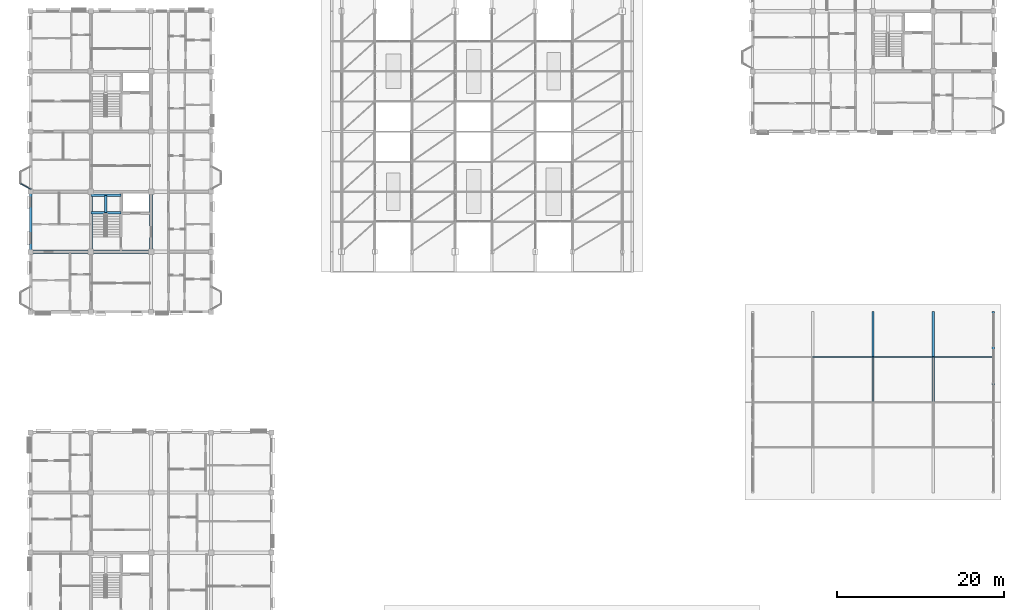
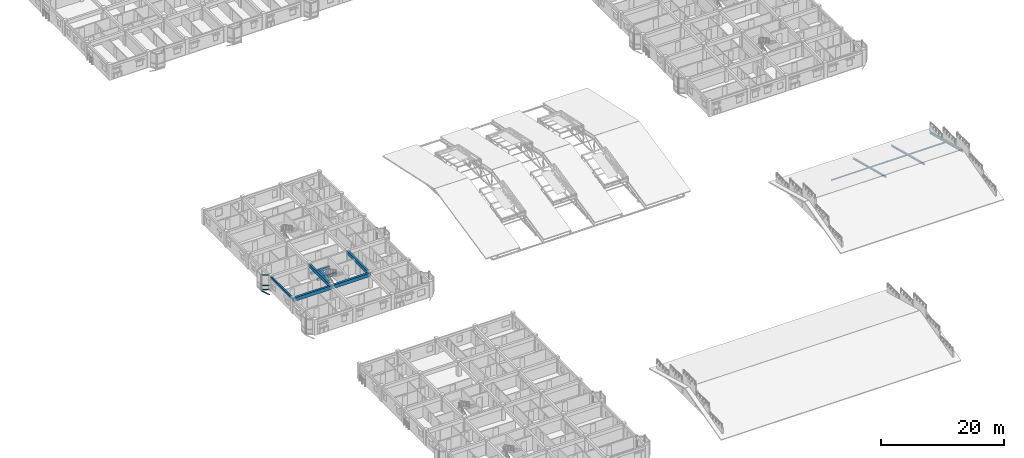
# One storey, part 28 of 124: 10 members, 8 beams, 1 element without a shape of its own.
"""IFC4 building model written with IfcOpenShell, lengths in metres."""

from ifc_helpers import new_model, si_unit, direction, frame, origin, origin_2d, place, context, subcontext, project, spatial, rectangle, hollow_rectangle, i_section, extrude, material, layer, layer_set, material_profile, profile_set, type_object, element, aggregate, save


model = new_model("IFC4")

# Units and contexts
model_context = context("Model", 3, precision=1e-05, world=origin(), true_north=direction((0.0, 1.0)))
body_context = subcontext(model_context, "Body", "Model", "MODEL_VIEW")
ifc_project = project(units=[si_unit("LENGTHUNIT", "METRE"), si_unit("AREAUNIT", "SQUARE_METRE"), si_unit("VOLUMEUNIT", "CUBIC_METRE"), si_unit("PLANEANGLEUNIT", "RADIAN"), si_unit("MASSUNIT", "GRAM", prefix="KILO"), si_unit("THERMODYNAMICTEMPERATUREUNIT", "KELVIN"), si_unit("POWERUNIT", "WATT")], contexts=[model_context])

# Site, building, storey
site_placement = place(None, origin())
site = spatial("IfcSite", under=ifc_project, at=site_placement, CompositionType="ELEMENT")
building_placement = place(site_placement, origin())
building = spatial("IfcBuilding", under=site, at=building_placement, Name="Tavuni Mirador Residences", CompositionType="ELEMENT")
storey_placement = place(building_placement, frame((0.0, 0.0, 7.64990234375)))
storey = spatial("IfcBuildingStorey", under=building, at=storey_placement, Name="L02", CompositionType="ELEMENT", Elevation=7.64990234375)

# Beams
ifc_material_1 = material(Name="Precast concrete C40/50", Category="concrete")
ifc_material_profile_1 = material_profile(ifc_material_1, rectangle(XDim=0.300048828125, YDim=0.5, at=origin_2d()), Name="PC 300x500", Category="concrete")
ifc_profile_set_1 = profile_set([ifc_material_profile_1], Name="Precast concrete C40/50")
beam_type_1 = type_object("IfcBeamType", Name="BT-B500", PredefinedType="BEAM", material=ifc_profile_set_1)
for number, where, z_axis, x_axis, name in (
    (1, (10.800048828125, 76.699951171875, 1.14501953125), (1.0, 0.0, 0.0), (0.0, 1.0, 0.0), "HLB1-C3-L02"),
    (2, (10.800048828125, 78.75, 1.14501953125), (1.0, 0.0, 0.0), (0.0, 1.0, 0.0), "HLB2-C3-L02"),
):
    element("IfcBeam", number, at=place(storey_placement, frame(where, z_axis=z_axis, x_axis=x_axis)), inside=storey, type_object=beam_type_1, Name=name, PredefinedType="BEAM", context=body_context, shape_type="SweptSolid", body=[
        extrude(rectangle(XDim=0.300048828125, YDim=0.5, at=origin_2d()), origin(), (0.0, 0.0, 1.0), 3.599853515625),
    ])
beam_1_placement = place(storey_placement, frame((12.60009765625, 76.699951171875, 1.14501953125), z_axis=(0.0, 1.0, 0.0), x_axis=(-1.0, 0.0, 0.0)))
element("IfcBeam", 3, at=beam_1_placement, inside=storey, type_object=beam_type_1, Name="HLB3-C3-L02", PredefinedType="BEAM", context=body_context, shape_type="SweptSolid", body=[
    extrude(rectangle(XDim=0.300048828125, YDim=0.5, at=origin_2d()), origin(), (0.0, 0.0, 1.0), 2.050048828125),
])
ifc_material_profile_2 = material_profile(ifc_material_1, rectangle(XDim=0.35009765625, YDim=0.64990234375, at=origin_2d()), Name="PC 350x650", Category="concrete")
ifc_profile_set_2 = profile_set([ifc_material_profile_2], Name="Precast concrete C40/50")
beam_type_2 = type_object("IfcBeamType", Name="BT-B650", PredefinedType="BEAM", material=ifc_profile_set_2)
for number, where, z_axis, x_axis, name in (
    (4, (10.800048828125, 72.0, 2.585205078125), (0.0, 1.0, 0.0), (-1.0, 0.0, 0.0), "BMY-BLK-B-L02-01-01"),
    (5, (18.0, 72.0, 2.585205078125), (0.0, 1.0, 0.0), (-1.0, 0.0, 0.0), "BMY-BLK-B-L02-02-01"),
):
    element("IfcBeam", number, at=place(storey_placement, frame(where, z_axis=z_axis, x_axis=x_axis)), inside=storey, type_object=beam_type_2, Name=name, PredefinedType="BEAM", context=body_context, shape_type="SweptSolid", body=[
        extrude(rectangle(XDim=0.35009765625, YDim=0.64990234375, at=origin_2d()), origin(), (0.0, 0.0, 1.0), 7.199951171875),
    ])
ifc_material_profile_3 = material_profile(ifc_material_1, rectangle(XDim=0.39990234375, YDim=0.699951171875, at=origin_2d()), Name="PC 400x700", Category="concrete")
ifc_profile_set_3 = profile_set([ifc_material_profile_3], Name="Precast concrete C40/50")
beam_type_3 = type_object("IfcBeamType", Name="BT-B700", PredefinedType="BEAM", material=ifc_profile_set_3)
for number, where, z_axis, x_axis, name in (
    (6, (3.60009765625, 72.0, 2.56005859375), (1.0, 0.0, 0.0), (0.0, 1.0, 0.0), "BMX-BLK-B-L02-00-01"),
    (7, (10.800048828125, 72.0, 2.56005859375), (1.0, 0.0, 0.0), (0.0, 1.0, 0.0), "BMX-BLK-B-L02-01-01"),
):
    element("IfcBeam", number, at=place(storey_placement, frame(where, z_axis=z_axis, x_axis=x_axis)), inside=storey, type_object=beam_type_3, Name=name, PredefinedType="BEAM", context=body_context, shape_type="SweptSolid", body=[
        extrude(rectangle(XDim=0.39990234375, YDim=0.699951171875, at=origin_2d()), origin(), (0.0, 0.0, 1.0), 7.199951171875),
    ])
ifc_material_profile_4 = material_profile(ifc_material_1, rectangle(XDim=0.25, YDim=0.419921875, at=origin_2d()), Name="PC 250x420", Category="concrete")
ifc_profile_set_4 = profile_set([ifc_material_profile_4], Name="Precast concrete C40/50")
beam_type_4 = type_object("IfcBeamType", Name="BT-SP420", PredefinedType="SPANDREL", material=ifc_profile_set_4)
beam_2_placement = place(storey_placement, frame((3.60009765625, 72.0, 2.7001953125), z_axis=(0.0, 1.0, 0.0), x_axis=(-1.0, 0.0, 0.0)))
element("IfcBeam", 8, at=beam_2_placement, inside=storey, type_object=beam_type_4, Name="BMY-BLK-B-L02-00-01", PredefinedType="SPANDREL", context=body_context, shape_type="SweptSolid", body=[
    extrude(rectangle(XDim=0.25, YDim=0.419921875, at=origin_2d()), origin(), (0.0, 0.0, 1.0), 7.199951171875),
])

# Curtain wall, members
ifc_material_2 = material(Name="Anodised aluminium", Category="aluminium")
ifc_layer = layer(ifc_material_2, 0.1650390625, Name="Anodised aluminium", Category="aluminium")
ifc_layer_set = layer_set([ifc_layer], Name="Anodised aluminium")
curtain_wall_type = type_object("IfcCurtainWallType", Name="CWT-MIR-A", PredefinedType="NOTDEFINED", material=ifc_layer_set)
curtain_wall_placement = place(storey_placement, origin())
curtain_wall = element("IfcCurtainWall", 9, at=curtain_wall_placement, inside=storey, type_object=curtain_wall_type, Name="CW-MIR-B-W2-L02-M2", PredefinedType="NOTDEFINED")
ifc_material_profile_5 = material_profile(ifc_material_2, hollow_rectangle(XDim=0.06005859375, YDim=0.110107421875, WallThickness=0.00390625, at=origin_2d()), Name="ALU 60x110x4.0", Category="aluminium")
ifc_profile_set_5 = profile_set([ifc_material_profile_5], Name="Anodised aluminium")
member_type_1 = type_object("IfcMemberType", Name="CWT-110", PredefinedType="USERDEFINED", material=ifc_profile_set_5)
member_1_placement = place(storey_placement, frame((2.45263671875, 80.131103515625, 0.030029296875), z_axis=(0.876149893798, -0.48203875736, 0.0), x_axis=(0.48203875736, 0.876149893798, 0.0)))
member_1 = element("IfcMember", 10, at=member_1_placement, type_object=member_type_1, Name="CW-01 transom 1.1", ObjectType="TRANSOM", PredefinedType="USERDEFINED", context=body_context, shape_type="SweptSolid", body=[
    extrude(hollow_rectangle(XDim=0.06005859375, YDim=0.110107421875, WallThickness=0.00390625, at=origin_2d()), origin(), (0.0, 0.0, 1.0), 1.24951171875),
])
member_2_placement = place(storey_placement, frame((2.45263671875, 80.131103515625, 0.85009765625), z_axis=(0.876149893798, -0.48203875736, 0.0), x_axis=(0.48203875736, 0.876149893798, 0.0)))
member_2 = element("IfcMember", 11, at=member_2_placement, type_object=member_type_1, Name="CW-01 transom 1.2", ObjectType="TRANSOM", PredefinedType="USERDEFINED", context=body_context, shape_type="SweptSolid", body=[
    extrude(hollow_rectangle(XDim=0.06005859375, YDim=0.110107421875, WallThickness=0.00390625, at=origin_2d()), origin(), (0.0, 0.0, 1.0), 1.24951171875),
])
member_3_placement = place(storey_placement, frame((2.45263671875, 80.131103515625, 2.880126953125), z_axis=(0.876149893798, -0.48203875736, 0.0), x_axis=(0.48203875736, 0.876149893798, 0.0)))
member_3 = element("IfcMember", 12, at=member_3_placement, type_object=member_type_1, Name="CW-01 transom 1.3", ObjectType="TRANSOM", PredefinedType="USERDEFINED", context=body_context, shape_type="SweptSolid", body=[
    extrude(hollow_rectangle(XDim=0.06005859375, YDim=0.110107421875, WallThickness=0.00390625, at=origin_2d()), origin(), (0.0, 0.0, 1.0), 1.24951171875),
])
aggregate(curtain_wall, [member_1, member_2, member_3])

# Members
ifc_material_3 = material(Name="Structural steel S355", Category="steel")
ifc_material_profile_6 = material_profile(ifc_material_3, hollow_rectangle(XDim=0.10009765625, YDim=0.179931640625, WallThickness=0.008056640625, at=origin_2d()), Name="RHS 180x100x8.0", Category="steel")
ifc_profile_set_6 = profile_set([ifc_material_profile_6], Name="Structural steel S355")
member_type_2 = type_object("IfcMemberType", Name="MT-BR-RHS180", PredefinedType="BRACE", material=ifc_profile_set_6)
member_4_placement = place(storey_placement, frame((3.60009765625, 79.5, -1.0498046875), z_axis=(-0.754295168209, 0.414739593098, 0.508949770738), x_axis=(-0.481809264355, -0.876276116747, 0.0)))
element("IfcMember", 13, at=member_4_placement, inside=storey, type_object=member_type_2, Name="MBRK-MIR-B-W2-L02-1", PredefinedType="BRACE", context=body_context, shape_type="SweptSolid", body=[
    extrude(hollow_rectangle(XDim=0.10009765625, YDim=0.179931640625, WallThickness=0.008056640625, at=origin_2d()), origin(), (0.0, 0.0, 1.0), 1.591064453125),
])
ifc_material_profile_7 = material_profile(ifc_material_3, i_section(OverallWidth=0.280029296875, OverallDepth=0.27001953125, WebThickness=0.008056640625, FlangeThickness=0.012939453125, FilletRadius=0.02392578125, at=origin_2d()), Name="HEA 280", Category="steel")
ifc_profile_set_7 = profile_set([ifc_material_profile_7], Name="Structural steel S355")
member_type_3 = type_object("IfcMemberType", Name="MT-CH-HEA280", PredefinedType="CHORD", material=ifc_profile_set_7)
for number, where, z_axis, x_axis, name in (
    (14, (104.39990234375, 54.0, 2.4501953125), (0.0, 0.967996110632, -0.250965196393), (-1.0, 0.0, 0.0), "RAF-PAV-NURS-02-N"),
    (15, (111.60009765625, 54.0, 2.4501953125), (0.0, 0.967996110632, -0.250965196393), (-1.0, 0.0, 0.0), "RAF-PAV-NURS-03-N"),
    (16, (118.800048828125, 54.0, 2.4501953125), (0.0, 0.967996110632, -0.250965196393), (-1.0, 0.0, 0.0), "RAF-PAV-NURS-04-N"),
):
    element("IfcMember", number, at=place(storey_placement, frame(where, z_axis=z_axis, x_axis=x_axis)), inside=storey, type_object=member_type_3, Name=name, PredefinedType="CHORD", context=body_context, shape_type="SweptSolid", body=[
        extrude(i_section(OverallWidth=0.280029296875, OverallDepth=0.27001953125, WebThickness=0.008056640625, FlangeThickness=0.012939453125, FilletRadius=0.02392578125, at=origin_2d()), origin(), (0.0, 0.0, 1.0), 11.1572265625),
    ])
ifc_material_profile_8 = material_profile(ifc_material_3, i_section(OverallWidth=0.091064453125, OverallDepth=0.179931640625, WebThickness=0.00537109375, FlangeThickness=0.008056640625, FilletRadius=0.009033203125, at=origin_2d()), Name="IPE 180", Category="steel")
ifc_profile_set_8 = profile_set([ifc_material_profile_8], Name="Structural steel S355")
member_type_4 = type_object("IfcMemberType", Name="MT-PR-IPE180", PredefinedType="PURLIN", material=ifc_profile_set_8)
member_5_placement = place(storey_placement, frame((97.199951171875, 59.39990234375, 1.09521484375), z_axis=(1.0, 0.0, 0.0), x_axis=(0.0, 1.0, 0.0)))
element("IfcMember", 17, at=member_5_placement, inside=storey, type_object=member_type_4, Name="RPUR-PAV-NURS-75-01", PredefinedType="PURLIN", context=body_context, shape_type="SweptSolid", body=[
    extrude(i_section(OverallWidth=0.091064453125, OverallDepth=0.179931640625, WebThickness=0.00537109375, FlangeThickness=0.008056640625, FilletRadius=0.009033203125, at=origin_2d()), origin(), (0.0, 0.0, 1.0), 7.199951171875),
])
member_6_placement = place(storey_placement, frame((104.39990234375, 59.39990234375, 1.09521484375), z_axis=(1.0, 0.0, 0.0), x_axis=(0.0, 1.0, 0.0)))
element("IfcMember", 18, at=member_6_placement, inside=storey, type_object=member_type_4, Name="RPUR-PAV-NURS-75-02", PredefinedType="PURLIN", context=body_context, shape_type="SweptSolid", body=[
    extrude(i_section(OverallWidth=0.091064453125, OverallDepth=0.179931640625, WebThickness=0.00537109375, FlangeThickness=0.008056640625, FilletRadius=0.009033203125, at=origin_2d()), origin(), (0.0, 0.0, 1.0), 7.2001953125),
])
member_7_placement = place(storey_placement, frame((111.60009765625, 59.39990234375, 1.09521484375), z_axis=(1.0, 0.0, 0.0), x_axis=(0.0, 1.0, 0.0)))
element("IfcMember", 19, at=member_7_placement, inside=storey, type_object=member_type_4, Name="RPUR-PAV-NURS-75-03", PredefinedType="PURLIN", context=body_context, shape_type="SweptSolid", body=[
    extrude(i_section(OverallWidth=0.091064453125, OverallDepth=0.179931640625, WebThickness=0.00537109375, FlangeThickness=0.008056640625, FilletRadius=0.009033203125, at=origin_2d()), origin(), (0.0, 0.0, 1.0), 7.199951171875),
])

save(model, "model.ifc")
